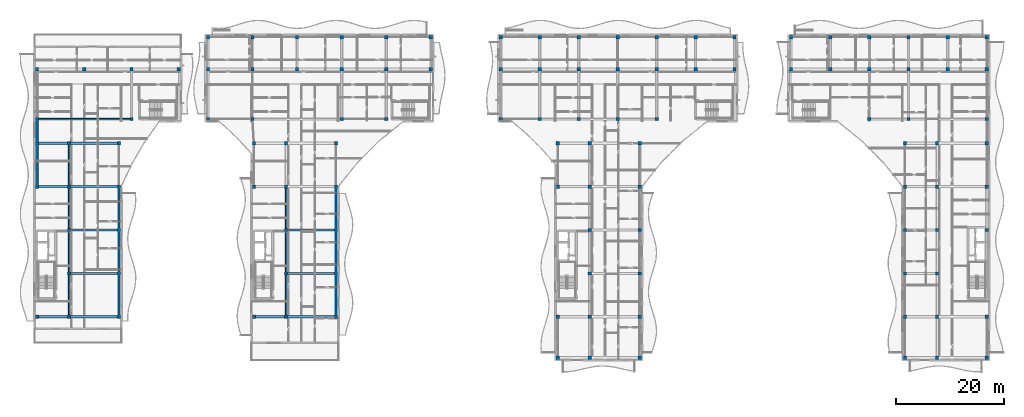
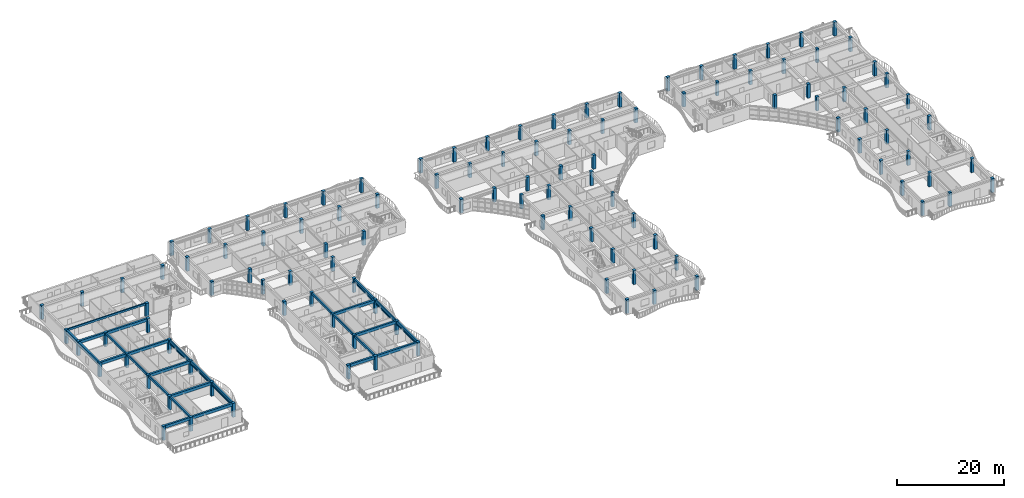
# One storey, part 1 of 71: 115 columns, 28 beams, 16 members.
"""IFC4 building model written with IfcOpenShell, lengths in metres."""

import ifcopenshell
import ifcopenshell.guid

model = None  # the IFC model being written
_history = None  # IfcOwnerHistory: only IFC2X3 demands one
_inside = {}  # id of a spatial element -> (the spatial element, [elements in it])
_under = {}  # id of a project, library or spatial element -> (it, [spatial elements below it])
_declared = {}  # id of a project -> (the project, [libraries it declares])
_typed = {}  # id of a type object -> (the type object, [elements of that type])
_made_of = {}  # id of a material, layer set ... -> (it, [elements and type objects made of it])


def new_model(schema):
    """Start an empty IFC model of exactly this schema.

    Asked for "IFC4X3", IfcOpenShell would pick the latest addendum, in which some entities
    have other attributes; the version numbers below select the first issue.
    IFC2X3 requires an IfcOwnerHistory on every rooted entity: one is made here for all.
    """
    global model, _history
    if schema == "IFC4X3":
        model = ifcopenshell.file(schema_version=(4, 3, 0, 0))
    else:
        model = ifcopenshell.file(schema=schema)
    _inside.clear()
    _under.clear()
    _declared.clear()
    _typed.clear()
    _made_of.clear()
    _history = None
    if model.schema == "IFC2X3":
        org = make("IfcOrganization", Name="unknown")
        user = make(
            "IfcPersonAndOrganization",
            ThePerson=make("IfcPerson", FamilyName="unknown"),
            TheOrganization=org,
        )
        app = make(
            "IfcApplication",
            ApplicationDeveloper=org,
            Version="unknown",
            ApplicationFullName="unknown",
            ApplicationIdentifier="unknown",
        )
        _history = make(
            "IfcOwnerHistory",
            OwningUser=user,
            OwningApplication=app,
            ChangeAction="ADDED",
            CreationDate=0,
        )
    return model


def make(cls, **values):
    """One entity of the class cls with the attributes given. An attribute that is None is left unset."""
    return model.create_entity(
        cls, **{name: value for name, value in values.items() if value is not None}
    )


def rooted(cls, **values):
    """An entity with a GlobalId (a new one), such as an element, a storey or a relation."""
    return make(cls, GlobalId=ifcopenshell.guid.new(), OwnerHistory=_history, **values)


def si_unit(unit_type, name, prefix=None):
    """IfcSIUnit, for example si_unit("LENGTHUNIT", "METRE", prefix="MILLI")."""
    return make("IfcSIUnit", UnitType=unit_type, Prefix=prefix, Name=name)


def assignment(units):
    """IfcUnitAssignment: the units of a project."""
    return None if units is None else make("IfcUnitAssignment", Units=units)


def point(xyz):
    """IfcCartesianPoint."""
    return None if xyz is None else make("IfcCartesianPoint", Coordinates=xyz)


def direction(xyz):
    """IfcDirection."""
    return None if xyz is None else make("IfcDirection", DirectionRatios=xyz)


def frame(location, z_axis=None, x_axis=None):
    """IfcAxis2Placement3D, a coordinate frame: its origin and axes. An axis left out is left unset."""
    return make(
        "IfcAxis2Placement3D",
        Location=point(location),
        Axis=direction(z_axis),
        RefDirection=direction(x_axis),
    )


def frame_2d(location, x_axis=None):
    """IfcAxis2Placement2D, a coordinate frame in the plane: its origin and x axis."""
    return make(
        "IfcAxis2Placement2D", Location=point(location), RefDirection=direction(x_axis)
    )


def origin():
    """The frame at (0, 0, 0) with its axes left unset."""
    return frame((0.0, 0.0, 0.0))


def origin_2d():
    """The frame at (0, 0) in the plane with its x axis left unset."""
    return frame_2d((0.0, 0.0))


def place(relative_to, where):
    """IfcLocalPlacement: puts the frame where relative to a parent placement (None: the world)."""
    return make(
        "IfcLocalPlacement", PlacementRelTo=relative_to, RelativePlacement=where
    )


def context(
    kind, dimensions, precision=None, world=None, true_north=None, identifier=None
):
    """IfcGeometricRepresentationContext, for example the 3D "Model" context."""
    return make(
        "IfcGeometricRepresentationContext",
        ContextIdentifier=identifier,
        ContextType=kind,
        CoordinateSpaceDimension=dimensions,
        Precision=precision,
        WorldCoordinateSystem=world,
        TrueNorth=true_north,
    )


def subcontext(parent, identifier, kind, view, scale=None):
    """IfcGeometricRepresentationSubContext, for example "Body" below "Model"."""
    return make(
        "IfcGeometricRepresentationSubContext",
        ContextIdentifier=identifier,
        ContextType=kind,
        ParentContext=parent,
        TargetScale=scale,
        TargetView=view,
    )


def project(units=None, contexts=None):
    """IfcProject with its units and contexts."""
    return rooted(
        "IfcProject",
        Name="project",
        RepresentationContexts=contexts,
        UnitsInContext=assignment(units),
    )


def spatial(cls, under=None, at=None, **own):
    """A site, building, storey or space (cls), placed at a placement, below another one or the project."""
    s = rooted(cls, ObjectPlacement=at, **own)
    if under is not None:
        _under.setdefault(under.id(), (under, []))[1].append(s)
    return s


def profile(cls, at=None, kind="AREA", **sizes):
    """A parametric profile (cls). Its sizes go by their IFC names, for example OverallWidth=200.0."""
    return make(cls, ProfileType=kind, Position=at, **sizes)


def rectangle(**sizes):
    """IfcRectangleProfileDef."""
    return profile("IfcRectangleProfileDef", **sizes)


def hollow_rectangle(**sizes):
    """IfcRectangleHollowProfileDef."""
    return profile("IfcRectangleHollowProfileDef", **sizes)


def extrude(swept, where, along, depth):
    """IfcExtrudedAreaSolid: the profile swept, set in the frame where, extruded along a direction by depth."""
    return make(
        "IfcExtrudedAreaSolid",
        SweptArea=swept,
        Position=where,
        ExtrudedDirection=direction(along),
        Depth=depth,
    )


def shape(context_of_items, identifier, shape_type, items):
    """IfcShapeRepresentation: the items that make up one representation, for example the "Body"."""
    return make(
        "IfcShapeRepresentation",
        ContextOfItems=context_of_items,
        RepresentationIdentifier=identifier,
        RepresentationType=shape_type,
        Items=items,
    )


def material(Name=None, Category=None):
    """IfcMaterial."""
    return make("IfcMaterial", Name=Name, Category=Category)


def material_profile(
    of_material, cross_section, Name=None, Category=None, Priority=None
):
    """IfcMaterialProfile: a cross section and its material."""
    return make(
        "IfcMaterialProfile",
        Name=Name,
        Material=of_material,
        Profile=cross_section,
        Priority=Priority,
        Category=Category,
    )


def profile_set(profiles, Name=None, composite=None):
    """IfcMaterialProfileSet."""
    return make(
        "IfcMaterialProfileSet",
        Name=Name,
        MaterialProfiles=profiles,
        CompositeProfile=composite,
    )


def made_of(thing, what):
    """Note that an element or type object is made of a material, layer set ...; save() writes the relation."""
    if what is not None:
        _made_of.setdefault(what.id(), (what, []))[1].append(thing)
    return thing


def type_object(cls, material=None, **own):
    """A type object (cls), such as IfcWallType, which elements share."""
    return made_of(rooted(cls, **own), material)


def element(
    cls,
    number,
    at=None,
    inside=None,
    cuts=None,
    type_object=None,
    material=None,
    context=None,
    identifier="Body",
    shape_type=None,
    held_by="IfcProductDefinitionShape",
    body=None,
    shapes=None,
    **own,
):
    """One element of the class cls, such as IfcWall. Its Tag is "e" and its number.

    at: its placement. inside: the storey or other place that contains it. cuts: it is an
    opening in that element (IfcRelVoidsElement). A single representation is given by context,
    identifier, shape_type and body (its items); several are given by shapes. held_by: the class
    of the entity that holds the representations. save() writes the other relations.
    """
    e = rooted(cls, Tag="e%d" % number, ObjectPlacement=at, **own)
    if body is not None:
        shapes = [shape(context, identifier, shape_type, body)]
    if shapes is not None:
        e.Representation = make(held_by, Representations=shapes)
    if inside is not None:
        _inside.setdefault(inside.id(), (inside, []))[1].append(e)
    if cuts is not None:
        rooted(
            "IfcRelVoidsElement", RelatingBuildingElement=cuts, RelatedOpeningElement=e
        )
    if type_object is not None:
        _typed.setdefault(type_object.id(), (type_object, []))[1].append(e)
    return made_of(e, material)


def aggregate(whole, parts):
    """IfcRelAggregates: a whole, such as a stair, and the parts it consists of."""
    return rooted("IfcRelAggregates", RelatingObject=whole, RelatedObjects=parts)


def save(model, path):
    """Write the relations noted so far, then the file.

    IfcRelAggregates (storeys below a building ...), IfcRelContainedInSpatialStructure (elements
    in a storey), IfcRelDefinesByType, IfcRelAssociatesMaterial and IfcRelDeclares: one each for
    every whole, place, type object, material and project.
    """
    for whole, parts in _under.values():
        aggregate(whole, parts)
    for where, things in _inside.values():
        rooted(
            "IfcRelContainedInSpatialStructure",
            RelatedElements=things,
            RelatingStructure=where,
        )
    for kind, things in _typed.values():
        rooted("IfcRelDefinesByType", RelatedObjects=things, RelatingType=kind)
    for what, things in _made_of.values():
        rooted("IfcRelAssociatesMaterial", RelatedObjects=things, RelatingMaterial=what)
    for by, libraries in _declared.values():
        rooted("IfcRelDeclares", RelatingContext=by, RelatedDefinitions=libraries)
    model.write(path)


model = new_model("IFC4")

# Units and contexts
model_context = context("Model", 3, precision=1e-05, world=origin(), true_north=direction((0.0, 1.0)))
body_context = subcontext(model_context, "Body", "Model", "MODEL_VIEW")
ifc_project = project(units=[si_unit("LENGTHUNIT", "METRE"), si_unit("AREAUNIT", "SQUARE_METRE"), si_unit("VOLUMEUNIT", "CUBIC_METRE"), si_unit("PLANEANGLEUNIT", "RADIAN"), si_unit("MASSUNIT", "GRAM", prefix="KILO")], contexts=[model_context])

# Site, building, storey
site_placement = place(None, origin())
site = spatial("IfcSite", under=ifc_project, at=site_placement, CompositionType="ELEMENT")
building_placement = place(site_placement, origin())
building = spatial("IfcBuilding", under=site, at=building_placement, Name="Keldmere Railside Commons", CompositionType="ELEMENT")
storey_placement = place(building_placement, frame((0.0, 0.0, 20.159912109375)))
storey = spatial("IfcBuildingStorey", under=building, at=storey_placement, Name="L06", CompositionType="ELEMENT", Elevation=20.159912109375)

# Columns
ifc_material_1 = material(Name="Concrete H-35 (C35/45)", Category="concrete")
ifc_material_profile_1 = material_profile(ifc_material_1, rectangle(XDim=0.60009765625, YDim=0.60009765625, at=origin_2d()), Name="RC-600x600")
ifc_profile_set_1 = profile_set([ifc_material_profile_1], Name="Concrete H-35 (C35/45)")
column_type = type_object("IfcColumnType", Name="Mid-Rise RC Column 600x600", PredefinedType="COLUMN", material=ifc_profile_set_1)
for number, where, z_axis, x_axis, name in (
    (1, (8.449951171875, 64.0, 0.0), (0.0, 0.0, 1.0), (1.0, 0.0, 0.0), "C-600 COL-L06-0052"),
    (2, (8.449951171875, 88.0, 0.0), (0.0, 0.0, 1.0), (1.0, 0.0, 0.0), "C-600 COL-L06-0060"),
    (3, (8.449951171875, 96.0, 0.0), (0.0, 0.0, 1.0), (1.0, 0.0, 0.0), "C-600 COL-L06-0069"),
    (4, (8.449951171875, 100.449951171875, 0.0), (0.0, 0.0, 1.0), (1.0, 0.0, 0.0), "C-600 COL-L06-0078"),
    (5, (8.449951171875, 109.64990234375, 0.0), (0.0, 0.0, 1.0), (1.0, 0.0, 0.0), "C-600 COL-L06-0088"),
    (6, (14.35009765625, 64.0, 0.0), (0.0, 0.0, 1.0), (1.0, 0.0, 0.0), "C-600 COL-L06-0110"),
    (7, (14.35009765625, 72.0, 0.0), (0.0, 0.0, 1.0), (1.0, 0.0, 0.0), "C-600 COL-L06-0118"),
    (8, (14.35009765625, 80.0, 0.0), (0.0, 0.0, 1.0), (1.0, 0.0, 0.0), "C-600 COL-L06-0127"),
    (9, (14.35009765625, 88.0, 0.0), (0.0, 0.0, 1.0), (1.0, 0.0, 0.0), "C-600 COL-L06-0136"),
    (10, (14.35009765625, 96.0, 0.0), (0.0, 0.0, 1.0), (1.0, 0.0, 0.0), "C-600 COL-L06-0145"),
    (11, (17.14990234375, 109.64990234375, 0.0), (0.0, 0.0, 1.0), (1.0, 0.0, 0.0), "C-600 COL-L06-0172"),
    (12, (23.550048828125, 64.0, 0.0), (0.0, 0.0, 1.0), (1.0, 0.0, 0.0), "C-600 COL-L06-0197"),
    (13, (23.550048828125, 72.0, 0.0), (0.0, 0.0, 1.0), (1.0, 0.0, 0.0), "C-600 COL-L06-0205"),
    (14, (23.550048828125, 80.0, 0.0), (0.0, 0.0, 1.0), (1.0, 0.0, 0.0), "C-600 COL-L06-0214"),
    (15, (23.550048828125, 88.0, 0.0), (0.0, 0.0, 1.0), (1.0, 0.0, 0.0), "C-600 COL-L06-0223"),
    (16, (23.550048828125, 96.0, 0.0), (0.0, 0.0, 1.0), (1.0, 0.0, 0.0), "C-600 COL-L06-0232"),
    (17, (25.85009765625, 100.449951171875, 0.0), (0.0, 0.0, 1.0), (1.0, 0.0, 0.0), "C-600 COL-L06-0253"),
    (18, (25.85009765625, 109.64990234375, 0.0), (0.0, 0.0, 1.0), (1.0, 0.0, 0.0), "C-600 COL-L06-0263"),
    (19, (34.550048828125, 109.64990234375, 0.0), (0.0, 0.0, 1.0), (1.0, 0.0, 0.0), "C-600 COL-L06-0307"),
    (20, (39.949951171875, 100.449951171875, 0.0), (0.0, 0.0, 1.0), (1.0, 0.0, 0.0), "C-600 COL-L06-0342"),
    (21, (39.949951171875, 109.64990234375, 0.0), (0.0, 0.0, 1.0), (1.0, 0.0, 0.0), "C-600 COL-L06-0354"),
    (22, (39.949951171875, 115.550048828125, 0.0), (0.0, 0.0, 1.0), (1.0, 0.0, 0.0), "C-600 COL-L06-0365"),
    (23, (48.169921875, 100.449951171875, 0.0), (0.0, 0.0, 1.0), (1.0, 0.0, 0.0), "C-600 COL-L06-0392"),
    (24, (48.169921875, 109.64990234375, 0.0), (0.0, 0.0, 1.0), (1.0, 0.0, 0.0), "C-600 COL-L06-0404"),
    (25, (48.169921875, 115.550048828125, 0.0), (0.0, 0.0, 1.0), (1.0, 0.0, 0.0), "C-600 COL-L06-0415"),
    (26, (48.449951171875, 64.0, 0.0), (0.0, 0.0, 1.0), (1.0, 0.0, 0.0), "C-600 COL-L06-0445"),
    (27, (48.449951171875, 88.0, 0.0), (0.0, 0.0, 1.0), (1.0, 0.0, 0.0), "C-600 COL-L06-0455"),
    (28, (48.449951171875, 96.0, 0.0), (0.0, 0.0, 1.0), (1.0, 0.0, 0.0), "C-600 COL-L06-0466"),
    (29, (54.35009765625, 64.0, 0.0), (0.0, 0.0, 1.0), (1.0, 0.0, 0.0), "C-600 COL-L06-0491"),
    (30, (54.35009765625, 72.0, 0.0), (0.0, 0.0, 1.0), (1.0, 0.0, 0.0), "C-600 COL-L06-0501"),
    (31, (54.35009765625, 80.0, 0.0), (0.0, 0.0, 1.0), (1.0, 0.0, 0.0), "C-600 COL-L06-0512"),
    (32, (54.35009765625, 88.0, 0.0), (0.0, 0.0, 1.0), (1.0, 0.0, 0.0), "C-600 COL-L06-0523"),
    (33, (54.35009765625, 96.0, 0.0), (0.0, 0.0, 1.0), (1.0, 0.0, 0.0), "C-600 COL-L06-0534"),
    (34, (56.389892578125, 109.64990234375, 0.0), (0.0, 0.0, 1.0), (1.0, 0.0, 0.0), "C-600 COL-L06-0546"),
    (35, (56.389892578125, 115.550048828125, 0.0), (0.0, 0.0, 1.0), (1.0, 0.0, 0.0), "C-600 COL-L06-0557"),
    (36, (63.550048828125, 64.0, 0.0), (0.0, 0.0, 1.0), (1.0, 0.0, 0.0), "C-600 COL-L06-0577"),
    (37, (63.550048828125, 72.0, 0.0), (0.0, 0.0, 1.0), (1.0, 0.0, 0.0), "C-600 COL-L06-0587"),
    (38, (63.550048828125, 80.0, 0.0), (0.0, 0.0, 1.0), (1.0, 0.0, 0.0), "C-600 COL-L06-0598"),
    (39, (63.550048828125, 88.0, 0.0), (0.0, 0.0, 1.0), (1.0, 0.0, 0.0), "C-600 COL-L06-0609"),
    (40, (63.550048828125, 96.0, 0.0), (0.0, 0.0, 1.0), (1.0, 0.0, 0.0), "C-600 COL-L06-0620"),
    (41, (64.610107421875, 100.449951171875, 0.0), (0.0, 0.0, 1.0), (1.0, 0.0, 0.0), "C-600 COL-L06-0646"),
    (42, (64.610107421875, 109.64990234375, 0.0), (0.0, 0.0, 1.0), (1.0, 0.0, 0.0), "C-600 COL-L06-0658"),
    (43, (64.610107421875, 115.550048828125, 0.0), (0.0, 0.0, 1.0), (1.0, 0.0, 0.0), "C-600 COL-L06-0669"),
    (44, (72.830078125, 100.449951171875, 0.0), (0.0, 0.0, 1.0), (1.0, 0.0, 0.0), "C-600 COL-L06-0691"),
    (45, (72.830078125, 109.64990234375, 0.0), (0.0, 0.0, 1.0), (1.0, 0.0, 0.0), "C-600 COL-L06-0703"),
    (46, (72.830078125, 115.550048828125, 0.0), (0.0, 0.0, 1.0), (1.0, 0.0, 0.0), "C-600 COL-L06-0714"),
    (47, (81.050048828125, 109.64990234375, 0.0), (0.0, 0.0, 1.0), (1.0, 0.0, 0.0), "C-600 COL-L06-0756"),
    (48, (81.050048828125, 115.550048828125, 0.0), (0.0, 0.0, 1.0), (1.0, 0.0, 0.0), "C-600 COL-L06-0767"),
    (49, (93.949951171875, 100.449951171875, 0.0), (0.0, 0.0, 1.0), (1.0, 0.0, 0.0), "C-600 COL-L06-0816"),
    (50, (93.949951171875, 109.64990234375, 0.0), (0.0, 0.0, 1.0), (1.0, 0.0, 0.0), "C-600 COL-L06-0830"),
    (51, (93.949951171875, 115.550048828125, 0.0), (0.0, 0.0, 1.0), (1.0, 0.0, 0.0), "C-600 COL-L06-0843"),
    (52, (101.133056640625, 100.449951171875, 0.0), (0.0, 0.0, 1.0), (1.0, 0.0, 0.0), "C-600 COL-L06-0885"),
    (53, (101.133056640625, 109.64990234375, 0.0), (0.0, 0.0, 1.0), (1.0, 0.0, 0.0), "C-600 COL-L06-0899"),
    (54, (101.133056640625, 115.550048828125, 0.0), (0.0, 0.0, 1.0), (1.0, 0.0, 0.0), "C-600 COL-L06-0912"),
    (55, (104.449951171875, 56.449951171875, 0.0), (0.0, 0.0, 1.0), (1.0, 0.0, 0.0), "C-600 COL-L06-0927"),
    (56, (104.449951171875, 64.0, 0.0), (0.0, 0.0, 1.0), (1.0, 0.0, 0.0), "C-600 COL-L06-0936"),
    (57, (104.449951171875, 88.0, 0.0), (0.0, 0.0, 1.0), (1.0, 0.0, 0.0), "C-600 COL-L06-0948"),
    (58, (104.449951171875, 96.0, 0.0), (0.0, 0.0, 1.0), (1.0, 0.0, 0.0), "C-600 COL-L06-0961"),
    (59, (108.31689453125, 100.449951171875, 0.0), (0.0, 0.0, 1.0), (1.0, 0.0, 0.0), "C-600 COL-L06-0985"),
    (60, (108.31689453125, 109.64990234375, 0.0), (0.0, 0.0, 1.0), (1.0, 0.0, 0.0), "C-600 COL-L06-0999"),
    (61, (108.31689453125, 115.550048828125, 0.0), (0.0, 0.0, 1.0), (1.0, 0.0, 0.0), "C-600 COL-L06-1012"),
    (62, (110.35009765625, 56.449951171875, 0.0), (0.0, 0.0, 1.0), (1.0, 0.0, 0.0), "C-600 COL-L06-1021"),
    (63, (110.35009765625, 64.0, 0.0), (0.0, 0.0, 1.0), (1.0, 0.0, 0.0), "C-600 COL-L06-1030"),
    (64, (110.35009765625, 72.0, 0.0), (0.0, 0.0, 1.0), (1.0, 0.0, 0.0), "C-600 COL-L06-1042"),
    (65, (110.35009765625, 80.0, 0.0), (0.0, 0.0, 1.0), (1.0, 0.0, 0.0), "C-600 COL-L06-1055"),
    (66, (110.35009765625, 88.0, 0.0), (0.0, 0.0, 1.0), (1.0, 0.0, 0.0), "C-600 COL-L06-1068"),
    (67, (110.35009765625, 96.0, 0.0), (0.0, 0.0, 1.0), (1.0, 0.0, 0.0), "C-600 COL-L06-1081"),
    (68, (115.5, 100.449951171875, 0.0), (0.0, 0.0, 1.0), (1.0, 0.0, 0.0), "C-600 COL-L06-1102"),
    (69, (115.5, 109.64990234375, 0.0), (0.0, 0.0, 1.0), (1.0, 0.0, 0.0), "C-600 COL-L06-1116"),
    (70, (115.5, 115.550048828125, 0.0), (0.0, 0.0, 1.0), (1.0, 0.0, 0.0), "C-600 COL-L06-1129"),
    (71, (119.550048828125, 56.449951171875, 0.0), (0.0, 0.0, 1.0), (1.0, 0.0, 0.0), "C-600 COL-L06-1138"),
    (72, (119.550048828125, 64.0, 0.0), (0.0, 0.0, 1.0), (1.0, 0.0, 0.0), "C-600 COL-L06-1147"),
    (73, (119.550048828125, 72.0, 0.0), (0.0, 0.0, 1.0), (1.0, 0.0, 0.0), "C-600 COL-L06-1159"),
    (74, (119.550048828125, 80.0, 0.0), (0.0, 0.0, 1.0), (1.0, 0.0, 0.0), "C-600 COL-L06-1172"),
    (75, (119.550048828125, 88.0, 0.0), (0.0, 0.0, 1.0), (1.0, 0.0, 0.0), "C-600 COL-L06-1185"),
    (76, (119.550048828125, 96.0, 0.0), (0.0, 0.0, 1.0), (1.0, 0.0, 0.0), "C-600 COL-L06-1198"),
    (77, (122.68310546875, 100.449951171875, 0.0), (0.0, 0.0, 1.0), (1.0, 0.0, 0.0), "C-600 COL-L06-1240"),
    (78, (122.68310546875, 109.64990234375, 0.0), (0.0, 0.0, 1.0), (1.0, 0.0, 0.0), "C-600 COL-L06-1254"),
    (79, (122.68310546875, 115.550048828125, 0.0), (0.0, 0.0, 1.0), (1.0, 0.0, 0.0), "C-600 COL-L06-1267"),
    (80, (129.866943359375, 109.64990234375, 0.0), (0.0, 0.0, 1.0), (1.0, 0.0, 0.0), "C-600 COL-L06-1299"),
    (81, (129.866943359375, 115.550048828125, 0.0), (0.0, 0.0, 1.0), (1.0, 0.0, 0.0), "C-600 COL-L06-1312"),
    (82, (137.050048828125, 109.64990234375, 0.0), (0.0, 0.0, 1.0), (1.0, 0.0, 0.0), "C-600 COL-L06-1349"),
    (83, (137.050048828125, 115.550048828125, 0.0), (0.0, 0.0, 1.0), (1.0, 0.0, 0.0), "C-600 COL-L06-1362"),
    (84, (147.449951171875, 109.64990234375, 0.0), (0.0, 0.0, 1.0), (1.0, 0.0, 0.0), "C-600 COL-L06-1379"),
    (85, (147.449951171875, 115.550048828125, 0.0), (0.0, 0.0, 1.0), (1.0, 0.0, 0.0), "C-600 COL-L06-1394"),
    (86, (154.669921875, 109.64990234375, 0.0), (0.0, 0.0, 1.0), (1.0, 0.0, 0.0), "C-600 COL-L06-1431"),
    (87, (154.669921875, 115.550048828125, 0.0), (0.0, 0.0, 1.0), (1.0, 0.0, 0.0), "C-600 COL-L06-1446"),
    (88, (161.889892578125, 100.449951171875, 0.0), (0.0, 0.0, 1.0), (1.0, 0.0, 0.0), "C-600 COL-L06-1484"),
    (89, (161.889892578125, 109.64990234375, 0.0), (0.0, 0.0, 1.0), (1.0, 0.0, 0.0), "C-600 COL-L06-1500"),
    (90, (161.889892578125, 115.550048828125, 0.0), (0.0, 0.0, 1.0), (1.0, 0.0, 0.0), "C-600 COL-L06-1515"),
    (91, (168.449951171875, 56.449951171875, 0.0), (0.0, 0.0, 1.0), (1.0, 0.0, 0.0), "C-600 COL-L06-1550"),
    (92, (168.449951171875, 64.0, 0.0), (0.0, 0.0, 1.0), (1.0, 0.0, 0.0), "C-600 COL-L06-1560"),
    (93, (168.449951171875, 72.0, 0.0), (0.0, 0.0, 1.0), (1.0, 0.0, 0.0), "C-600 COL-L06-1574"),
    (94, (168.449951171875, 80.0, 0.0), (0.0, 0.0, 1.0), (1.0, 0.0, 0.0), "C-600 COL-L06-1589"),
    (95, (168.449951171875, 88.0, 0.0), (0.0, 0.0, 1.0), (1.0, 0.0, 0.0), "C-600 COL-L06-1604"),
    (96, (168.449951171875, 96.0, 0.0), (0.0, 0.0, 1.0), (1.0, 0.0, 0.0), "C-600 COL-L06-1619"),
    (97, (169.110107421875, 100.449951171875, 0.0), (0.0, 0.0, 1.0), (1.0, 0.0, 0.0), "C-600 COL-L06-1634"),
    (98, (169.110107421875, 109.64990234375, 0.0), (0.0, 0.0, 1.0), (1.0, 0.0, 0.0), "C-600 COL-L06-1650"),
    (99, (169.110107421875, 115.550048828125, 0.0), (0.0, 0.0, 1.0), (1.0, 0.0, 0.0), "C-600 COL-L06-1665"),
    (100, (174.35009765625, 56.449951171875, 0.0), (0.0, 0.0, 1.0), (1.0, 0.0, 0.0), "C-600 COL-L06-1676"),
    (101, (174.35009765625, 64.0, 0.0), (0.0, 0.0, 1.0), (1.0, 0.0, 0.0), "C-600 COL-L06-1686"),
    (102, (174.35009765625, 72.0, 0.0), (0.0, 0.0, 1.0), (1.0, 0.0, 0.0), "C-600 COL-L06-1700"),
    (103, (174.35009765625, 80.0, 0.0), (0.0, 0.0, 1.0), (1.0, 0.0, 0.0), "C-600 COL-L06-1715"),
    (104, (174.35009765625, 88.0, 0.0), (0.0, 0.0, 1.0), (1.0, 0.0, 0.0), "C-600 COL-L06-1730"),
    (105, (174.35009765625, 96.0, 0.0), (0.0, 0.0, 1.0), (1.0, 0.0, 0.0), "C-600 COL-L06-1745"),
    (106, (176.330078125, 109.64990234375, 0.0), (0.0, 0.0, 1.0), (1.0, 0.0, 0.0), "C-600 COL-L06-1778"),
    (107, (176.330078125, 115.550048828125, 0.0), (0.0, 0.0, 1.0), (1.0, 0.0, 0.0), "C-600 COL-L06-1793"),
    (108, (183.550048828125, 56.449951171875, 0.0), (0.0, 0.0, 1.0), (1.0, 0.0, 0.0), "C-600 COL-L06-1808"),
    (109, (183.550048828125, 64.0, 0.0), (0.0, 0.0, 1.0), (1.0, 0.0, 0.0), "C-600 COL-L06-1818"),
    (110, (183.550048828125, 80.0, 0.0), (0.0, 0.0, 1.0), (1.0, 0.0, 0.0), "C-600 COL-L06-1832"),
    (111, (183.550048828125, 88.0, 0.0), (0.0, 0.0, 1.0), (1.0, 0.0, 0.0), "C-600 COL-L06-1847"),
    (112, (183.550048828125, 96.0, 0.0), (0.0, 0.0, 1.0), (1.0, 0.0, 0.0), "C-600 COL-L06-1862"),
    (113, (183.550048828125, 100.449951171875, 0.0), (0.0, 0.0, 1.0), (1.0, 0.0, 0.0), "C-600 COL-L06-1877"),
    (114, (183.550048828125, 109.64990234375, 0.0), (0.0, 0.0, 1.0), (1.0, 0.0, 0.0), "C-600 COL-L06-1893"),
    (115, (183.550048828125, 115.550048828125, 0.0), (0.0, 0.0, 1.0), (1.0, 0.0, 0.0), "C-600 COL-L06-1908"),
):
    element("IfcColumn", number, at=place(storey_placement, frame(where, z_axis=z_axis, x_axis=x_axis)), inside=storey, type_object=column_type, Name=name, PredefinedType="COLUMN", context=body_context, shape_type="SweptSolid", body=[
        extrude(rectangle(XDim=0.60009765625, YDim=0.60009765625, at=origin_2d()), origin(), (0.0, 0.0, 1.0), 3.2001953125),
    ])

# Members
ifc_material_2 = material(Name="Steel F-36 (S355)", Category="steel")
ifc_material_profile_2 = material_profile(ifc_material_2, hollow_rectangle(XDim=0.14990234375, YDim=0.25, WallThickness=0.010009765625, at=origin_2d()), Name="RHS-250x150x10")
ifc_profile_set_2 = profile_set([ifc_material_profile_2], Name="Steel F-36 (S355)")
member_type_1 = type_object("IfcMemberType", Name="Balcony Continuous Planted Trough RHS250x150", PredefinedType="CHORD", material=ifc_profile_set_2)
member_1_placement = place(storey_placement, frame((8.449951171875, 88.300048828125, 2.4150390625), z_axis=(0.0, 1.0, 0.0), x_axis=(-1.0, 0.0, 0.0)))
element("IfcMember", 116, at=member_1_placement, inside=storey, type_object=member_type_1, Name="PLT-1 MEM-BPLT-0679", PredefinedType="CHORD", context=body_context, shape_type="SweptSolid", body=[
    extrude(hollow_rectangle(XDim=0.14990234375, YDim=0.25, WallThickness=0.010009765625, at=origin_2d()), origin(), (0.0, 0.0, 1.0), 7.39990234375),
])
member_2_placement = place(storey_placement, frame((8.449951171875, 96.300048828125, 2.4150390625), z_axis=(0.0, 1.0, 0.0), x_axis=(-1.0, 0.0, 0.0)))
element("IfcMember", 117, at=member_2_placement, inside=storey, type_object=member_type_1, Name="PLT-1 MEM-BPLT-0681", PredefinedType="CHORD", context=body_context, shape_type="SweptSolid", body=[
    extrude(hollow_rectangle(XDim=0.14990234375, YDim=0.25, WallThickness=0.010009765625, at=origin_2d()), origin(), (0.0, 0.0, 1.0), 3.849853515625),
])
for number, where, z_axis, x_axis, name in (
    (118, (23.550048828125, 64.300048828125, 2.4150390625), (0.0, 1.0, 0.0), (-1.0, 0.0, 0.0), "PLT-1 MEM-BPLT-0685"),
    (119, (23.550048828125, 72.300048828125, 2.4150390625), (0.0, 1.0, 0.0), (-1.0, 0.0, 0.0), "PLT-1 MEM-BPLT-0687"),
    (120, (23.550048828125, 80.300048828125, 2.4150390625), (0.0, 1.0, 0.0), (-1.0, 0.0, 0.0), "PLT-1 MEM-BPLT-0689"),
    (121, (63.550048828125, 64.300048828125, 2.4150390625), (0.0, 1.0, 0.0), (-1.0, 0.0, 0.0), "PLT-1 MEM-BPLT-0715"),
    (122, (63.550048828125, 72.300048828125, 2.4150390625), (0.0, 1.0, 0.0), (-1.0, 0.0, 0.0), "PLT-1 MEM-BPLT-0717"),
    (123, (63.550048828125, 80.300048828125, 2.4150390625), (0.0, 1.0, 0.0), (-1.0, 0.0, 0.0), "PLT-1 MEM-BPLT-0719"),
):
    element("IfcMember", number, at=place(storey_placement, frame(where, z_axis=z_axis, x_axis=x_axis)), inside=storey, type_object=member_type_1, Name=name, PredefinedType="CHORD", context=body_context, shape_type="SweptSolid", body=[
        extrude(hollow_rectangle(XDim=0.14990234375, YDim=0.25, WallThickness=0.010009765625, at=origin_2d()), origin(), (0.0, 0.0, 1.0), 7.39990234375),
    ])

# Beams
ifc_material_3 = material(Name="Architectural Precast Concrete H-35 (C35/45)", Category="concrete")
ifc_material_profile_3 = material_profile(ifc_material_3, rectangle(XDim=0.25, YDim=0.449951171875, at=origin_2d()), Name="RC-250x450")
ifc_profile_set_3 = profile_set([ifc_material_profile_3], Name="Architectural Precast Concrete H-35 (C35/45)")
beam_type_1 = type_object("IfcBeamType", Name="Perimeter Precast Spandrel Beam 250x450", PredefinedType="SPANDREL", material=ifc_profile_set_3)
beam_1_placement = place(storey_placement, frame((8.75, 100.449951171875, 2.97509765625), z_axis=(1.0, 0.0, 0.0), x_axis=(0.0, 1.0, 0.0)))
element("IfcBeam", 124, at=beam_1_placement, inside=storey, type_object=beam_type_1, Name="SPB-1 BM-L06-1897", PredefinedType="SPANDREL", context=body_context, shape_type="SweptSolid", body=[
    extrude(rectangle(XDim=0.25, YDim=0.449951171875, at=origin_2d()), origin(), (0.0, 0.0, 1.0), 16.800048828125),
])
ifc_material_4 = material(Name="Concrete H-30 (C30/37)", Category="concrete")
ifc_material_profile_4 = material_profile(ifc_material_4, rectangle(XDim=0.35009765625, YDim=0.60009765625, at=origin_2d()), Name="RC-350x600")
ifc_profile_set_4 = profile_set([ifc_material_profile_4], Name="Concrete H-30 (C30/37)")
beam_type_2 = type_object("IfcBeamType", Name="Residential Chord RC Beam 350x600", PredefinedType="BEAM", material=ifc_profile_set_4)
beam_2_placement = place(storey_placement, frame((8.449951171875, 88.300048828125, 2.900146484375), z_axis=(0.0, 1.0, 0.0), x_axis=(-1.0, 0.0, 0.0)))
element("IfcBeam", 125, at=beam_2_placement, inside=storey, type_object=beam_type_2, Name="BG-4 BM-L06-1942", PredefinedType="BEAM", context=body_context, shape_type="SweptSolid", body=[
    extrude(rectangle(XDim=0.35009765625, YDim=0.60009765625, at=origin_2d()), origin(), (0.0, 0.0, 1.0), 7.39990234375),
])
beam_3_placement = place(storey_placement, frame((8.449951171875, 96.300048828125, 2.900146484375), z_axis=(0.0, 1.0, 0.0), x_axis=(-1.0, 0.0, 0.0)))
element("IfcBeam", 126, at=beam_3_placement, inside=storey, type_object=beam_type_2, Name="BG-4 BM-L06-1943", PredefinedType="BEAM", context=body_context, shape_type="SweptSolid", body=[
    extrude(rectangle(XDim=0.35009765625, YDim=0.60009765625, at=origin_2d()), origin(), (0.0, 0.0, 1.0), 3.849853515625),
])
ifc_material_profile_5 = material_profile(ifc_material_4, rectangle(XDim=0.39990234375, YDim=0.64990234375, at=origin_2d()), Name="RC-400x650")
ifc_profile_set_5 = profile_set([ifc_material_profile_5], Name="Concrete H-30 (C30/37)")
beam_type_3 = type_object("IfcBeamType", Name="Residential Spine RC Girder 400x650", PredefinedType="BEAM", material=ifc_profile_set_5)
beam_4_placement = place(storey_placement, frame((8.75, 64.0, 2.875), z_axis=(1.0, 0.0, 0.0), x_axis=(0.0, 1.0, 0.0)))
element("IfcBeam", 127, at=beam_4_placement, inside=storey, type_object=beam_type_3, Name="BG-3 BM-L06-1865", PredefinedType="BEAM", context=body_context, shape_type="SweptSolid", body=[
    extrude(rectangle(XDim=0.39990234375, YDim=0.64990234375, at=origin_2d()), origin(), (0.0, 0.0, 1.0), 5.300048828125),
])
beam_5_placement = place(storey_placement, frame((14.64990234375, 64.0, 2.875), z_axis=(1.0, 0.0, 0.0), x_axis=(0.0, 1.0, 0.0)))
element("IfcBeam", 128, at=beam_5_placement, inside=storey, type_object=beam_type_3, Name="BG-3 BM-L06-1866", PredefinedType="BEAM", context=body_context, shape_type="SweptSolid", body=[
    extrude(rectangle(XDim=0.39990234375, YDim=0.64990234375, at=origin_2d()), origin(), (0.0, 0.0, 1.0), 8.60009765625),
])
beam_6_placement = place(storey_placement, frame((48.75, 64.0, 2.875), z_axis=(1.0, 0.0, 0.0), x_axis=(0.0, 1.0, 0.0)))
element("IfcBeam", 129, at=beam_6_placement, inside=storey, type_object=beam_type_3, Name="BG-3 BM-L06-1867", PredefinedType="BEAM", context=body_context, shape_type="SweptSolid", body=[
    extrude(rectangle(XDim=0.39990234375, YDim=0.64990234375, at=origin_2d()), origin(), (0.0, 0.0, 1.0), 5.300048828125),
])
for number, where, z_axis, x_axis, name in (
    (130, (54.64990234375, 64.0, 2.875), (1.0, 0.0, 0.0), (0.0, 1.0, 0.0), "BG-3 BM-L06-1868"),
    (131, (14.64990234375, 72.0, 2.875), (1.0, 0.0, 0.0), (0.0, 1.0, 0.0), "BG-3 BM-L06-1873"),
    (132, (54.64990234375, 72.0, 2.875), (1.0, 0.0, 0.0), (0.0, 1.0, 0.0), "BG-3 BM-L06-1874"),
    (133, (14.64990234375, 80.0, 2.875), (1.0, 0.0, 0.0), (0.0, 1.0, 0.0), "BG-3 BM-L06-1877"),
    (134, (54.64990234375, 80.0, 2.875), (1.0, 0.0, 0.0), (0.0, 1.0, 0.0), "BG-3 BM-L06-1878"),
):
    element("IfcBeam", number, at=place(storey_placement, frame(where, z_axis=z_axis, x_axis=x_axis)), inside=storey, type_object=beam_type_3, Name=name, PredefinedType="BEAM", context=body_context, shape_type="SweptSolid", body=[
        extrude(rectangle(XDim=0.39990234375, YDim=0.64990234375, at=origin_2d()), origin(), (0.0, 0.0, 1.0), 8.60009765625),
    ])
beam_7_placement = place(storey_placement, frame((8.75, 88.0, 2.875), z_axis=(1.0, 0.0, 0.0), x_axis=(0.0, 1.0, 0.0)))
element("IfcBeam", 135, at=beam_7_placement, inside=storey, type_object=beam_type_3, Name="BG-3 BM-L06-1881", PredefinedType="BEAM", context=body_context, shape_type="SweptSolid", body=[
    extrude(rectangle(XDim=0.39990234375, YDim=0.64990234375, at=origin_2d()), origin(), (0.0, 0.0, 1.0), 5.300048828125),
])
beam_8_placement = place(storey_placement, frame((14.64990234375, 88.0, 2.875), z_axis=(1.0, 0.0, 0.0), x_axis=(0.0, 1.0, 0.0)))
element("IfcBeam", 136, at=beam_8_placement, inside=storey, type_object=beam_type_3, Name="BG-3 BM-L06-1882", PredefinedType="BEAM", context=body_context, shape_type="SweptSolid", body=[
    extrude(rectangle(XDim=0.39990234375, YDim=0.64990234375, at=origin_2d()), origin(), (0.0, 0.0, 1.0), 8.60009765625),
])
beam_9_placement = place(storey_placement, frame((8.75, 96.0, 2.875), z_axis=(1.0, 0.0, 0.0), x_axis=(0.0, 1.0, 0.0)))
element("IfcBeam", 137, at=beam_9_placement, inside=storey, type_object=beam_type_3, Name="BG-3 BM-L06-1889", PredefinedType="BEAM", context=body_context, shape_type="SweptSolid", body=[
    extrude(rectangle(XDim=0.39990234375, YDim=0.64990234375, at=origin_2d()), origin(), (0.0, 0.0, 1.0), 5.300048828125),
])
beam_10_placement = place(storey_placement, frame((14.64990234375, 96.0, 2.875), z_axis=(1.0, 0.0, 0.0), x_axis=(0.0, 1.0, 0.0)))
element("IfcBeam", 138, at=beam_10_placement, inside=storey, type_object=beam_type_3, Name="BG-3 BM-L06-1890", PredefinedType="BEAM", context=body_context, shape_type="SweptSolid", body=[
    extrude(rectangle(XDim=0.39990234375, YDim=0.64990234375, at=origin_2d()), origin(), (0.0, 0.0, 1.0), 8.60009765625),
])
ifc_material_profile_6 = material_profile(ifc_material_4, rectangle(XDim=0.300048828125, YDim=0.5, at=origin_2d()), Name="RC-300x500")
ifc_profile_set_6 = profile_set([ifc_material_profile_6], Name="Concrete H-30 (C30/37)")
beam_type_4 = type_object("IfcBeamType", Name="Secondary Frame RC Beam 300x500", PredefinedType="BEAM", material=ifc_profile_set_6)
for number, where, z_axis, x_axis, name in (
    (139, (14.35009765625, 64.300048828125, 2.9501953125), (0.0, 1.0, 0.0), (-1.0, 0.0, 0.0), "BG-5 BM-L06-1945"),
    (140, (14.35009765625, 72.300048828125, 2.9501953125), (0.0, 1.0, 0.0), (-1.0, 0.0, 0.0), "BG-5 BM-L06-1946"),
    (141, (14.35009765625, 80.300048828125, 2.9501953125), (0.0, 1.0, 0.0), (-1.0, 0.0, 0.0), "BG-5 BM-L06-1947"),
    (142, (14.35009765625, 88.300048828125, 2.9501953125), (0.0, 1.0, 0.0), (-1.0, 0.0, 0.0), "BG-5 BM-L06-1948"),
    (143, (23.550048828125, 64.300048828125, 2.9501953125), (0.0, 1.0, 0.0), (-1.0, 0.0, 0.0), "BG-5 BM-L06-1949"),
    (144, (23.550048828125, 72.300048828125, 2.9501953125), (0.0, 1.0, 0.0), (-1.0, 0.0, 0.0), "BG-5 BM-L06-1950"),
    (145, (23.550048828125, 80.300048828125, 2.9501953125), (0.0, 1.0, 0.0), (-1.0, 0.0, 0.0), "BG-5 BM-L06-1951"),
    (146, (54.35009765625, 64.300048828125, 2.9501953125), (0.0, 1.0, 0.0), (-1.0, 0.0, 0.0), "BG-5 BM-L06-1959"),
    (147, (54.35009765625, 72.300048828125, 2.9501953125), (0.0, 1.0, 0.0), (-1.0, 0.0, 0.0), "BG-5 BM-L06-1960"),
    (148, (54.35009765625, 80.300048828125, 2.9501953125), (0.0, 1.0, 0.0), (-1.0, 0.0, 0.0), "BG-5 BM-L06-1961"),
    (149, (63.550048828125, 64.300048828125, 2.9501953125), (0.0, 1.0, 0.0), (-1.0, 0.0, 0.0), "BG-5 BM-L06-1964"),
    (150, (63.550048828125, 72.300048828125, 2.9501953125), (0.0, 1.0, 0.0), (-1.0, 0.0, 0.0), "BG-5 BM-L06-1965"),
    (151, (63.550048828125, 80.300048828125, 2.9501953125), (0.0, 1.0, 0.0), (-1.0, 0.0, 0.0), "BG-5 BM-L06-1966"),
):
    element("IfcBeam", number, at=place(storey_placement, frame(where, z_axis=z_axis, x_axis=x_axis)), inside=storey, type_object=beam_type_4, Name=name, PredefinedType="BEAM", context=body_context, shape_type="SweptSolid", body=[
        extrude(rectangle(XDim=0.300048828125, YDim=0.5, at=origin_2d()), origin(), (0.0, 0.0, 1.0), 7.39990234375),
    ])

# Members
ifc_material_profile_7 = material_profile(ifc_material_2, hollow_rectangle(XDim=0.10009765625, YDim=0.159912109375, WallThickness=0.008056640625, at=origin_2d()), Name="RHS-160x100x8")
ifc_profile_set_7 = profile_set([ifc_material_profile_7], Name="Steel F-36 (S355)")
member_type_2 = type_object("IfcMemberType", Name="Solar Brise-Soleil Louvre Fin RHS160x100", PredefinedType="STRUT", material=ifc_profile_set_7)
member_3_placement = place(storey_placement, frame((8.449951171875, 88.300048828125, 2.2001953125), z_axis=(0.0, 1.0, 0.0), x_axis=(-1.0, 0.0, 0.0)))
element("IfcMember", 152, at=member_3_placement, inside=storey, type_object=member_type_2, Name="BSF-1 MEM-BSF-0680", PredefinedType="STRUT", context=body_context, shape_type="SweptSolid", body=[
    extrude(hollow_rectangle(XDim=0.10009765625, YDim=0.159912109375, WallThickness=0.008056640625, at=origin_2d()), origin(), (0.0, 0.0, 1.0), 7.39990234375),
])
member_4_placement = place(storey_placement, frame((8.449951171875, 96.300048828125, 2.2001953125), z_axis=(0.0, 1.0, 0.0), x_axis=(-1.0, 0.0, 0.0)))
element("IfcMember", 153, at=member_4_placement, inside=storey, type_object=member_type_2, Name="BSF-1 MEM-BSF-0682", PredefinedType="STRUT", context=body_context, shape_type="SweptSolid", body=[
    extrude(hollow_rectangle(XDim=0.10009765625, YDim=0.159912109375, WallThickness=0.008056640625, at=origin_2d()), origin(), (0.0, 0.0, 1.0), 3.849853515625),
])
for number, where, z_axis, x_axis, name in (
    (154, (23.550048828125, 64.300048828125, 2.2001953125), (0.0, 1.0, 0.0), (-1.0, 0.0, 0.0), "BSF-1 MEM-BSF-0686"),
    (155, (23.550048828125, 72.300048828125, 2.2001953125), (0.0, 1.0, 0.0), (-1.0, 0.0, 0.0), "BSF-1 MEM-BSF-0688"),
    (156, (23.550048828125, 80.300048828125, 2.2001953125), (0.0, 1.0, 0.0), (-1.0, 0.0, 0.0), "BSF-1 MEM-BSF-0690"),
    (157, (63.550048828125, 64.300048828125, 2.2001953125), (0.0, 1.0, 0.0), (-1.0, 0.0, 0.0), "BSF-1 MEM-BSF-0716"),
    (158, (63.550048828125, 72.300048828125, 2.2001953125), (0.0, 1.0, 0.0), (-1.0, 0.0, 0.0), "BSF-1 MEM-BSF-0718"),
    (159, (63.550048828125, 80.300048828125, 2.2001953125), (0.0, 1.0, 0.0), (-1.0, 0.0, 0.0), "BSF-1 MEM-BSF-0720"),
):
    element("IfcMember", number, at=place(storey_placement, frame(where, z_axis=z_axis, x_axis=x_axis)), inside=storey, type_object=member_type_2, Name=name, PredefinedType="STRUT", context=body_context, shape_type="SweptSolid", body=[
        extrude(hollow_rectangle(XDim=0.10009765625, YDim=0.159912109375, WallThickness=0.008056640625, at=origin_2d()), origin(), (0.0, 0.0, 1.0), 7.39990234375),
    ])

save(model, "model.ifc")
